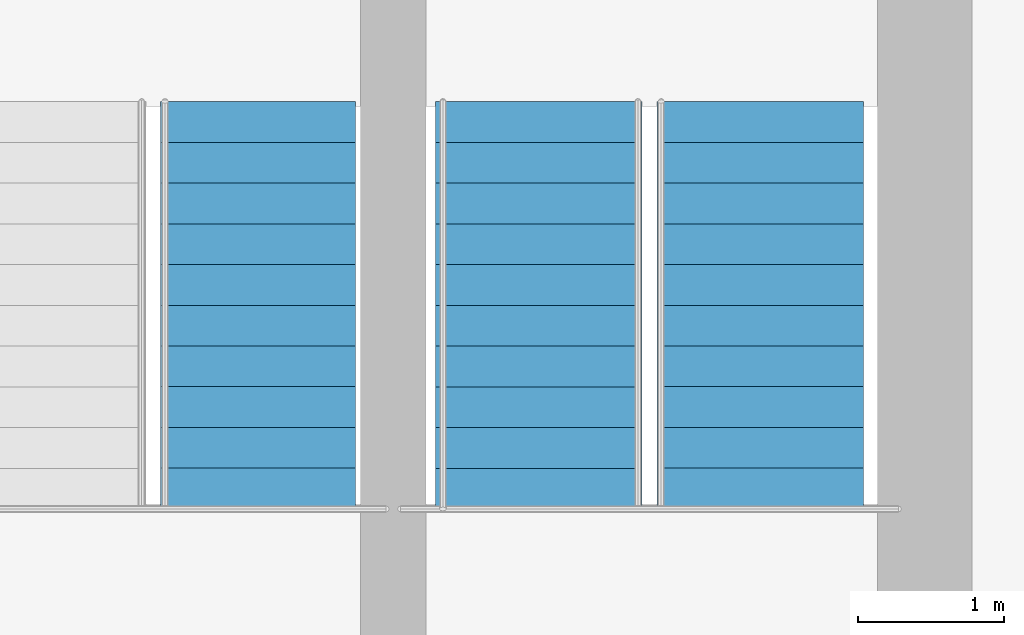
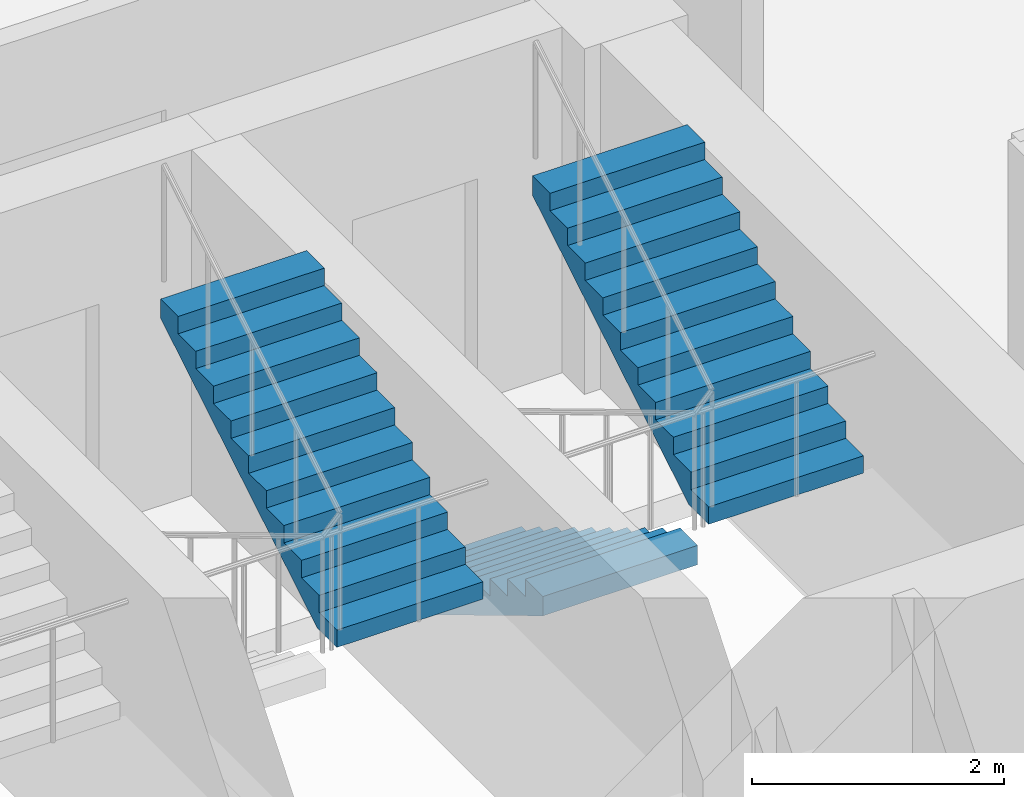
# One storey, part 25 of 26: 3 stair flights, 2 elements without a shape of their own.
"""IFC4 building model written with IfcOpenShell, lengths in metres."""

from ifc_helpers import new_model, si_unit, direction, frame, origin, place, context, subcontext, project, spatial, polyline, outline, extrude, material, type_object, element, aggregate, save


model = new_model("IFC4")

# Units and contexts
model_context = context("Model", 3, precision=1e-05, world=origin(), true_north=direction((0.0, 1.0)))
body_context = subcontext(model_context, "Body", "Model", "MODEL_VIEW")
ifc_project = project(units=[si_unit("LENGTHUNIT", "METRE"), si_unit("AREAUNIT", "SQUARE_METRE"), si_unit("VOLUMEUNIT", "CUBIC_METRE"), si_unit("PLANEANGLEUNIT", "RADIAN"), si_unit("MASSUNIT", "GRAM", prefix="KILO")], contexts=[model_context])

# Site, building, storey
site_placement = place(None, origin())
site = spatial("IfcSite", under=ifc_project, at=site_placement, CompositionType="ELEMENT")
building_placement = place(site_placement, origin())
building = spatial("IfcBuilding", under=site, at=building_placement, Name="Nuhasar Tower", CompositionType="ELEMENT")
storey_placement = place(building_placement, frame((0.0, 0.0, 192.25)))
storey = spatial("IfcBuildingStorey", under=building, at=storey_placement, Name="L47", CompositionType="ELEMENT", Elevation=192.25)

# Stair, stair flights
ifc_material = material(Name="Concrete C45/55", Category="concrete")
stair_type_1 = type_object("IfcStairType", Name="STR-ST-02-2F-22R-1682", PredefinedType="HALF_TURN_STAIR", material=ifc_material)
stair_1_placement = place(storey_placement, origin())
stair_1 = element("IfcStair", 1, at=stair_1_placement, inside=storey, type_object=stair_type_1, Name="L47 Exit Stair ST-02", PredefinedType="HALF_TURN_STAIR")
stair_flight_type_1 = type_object("IfcStairFlightType", Name="SFL-ST-02-11R-1682", PredefinedType="STRAIGHT", material=ifc_material)
stair_flight_1_placement = place(storey_placement, frame((41.64990234375, 35.284912109375, 0.0), z_axis=(0.0, 0.0, 1.0), x_axis=(0.0, -1.0, 0.0)))
stair_flight_1 = element("IfcStairFlight", 2, at=stair_flight_1_placement, type_object=stair_flight_type_1, Name="ST-02 flight 1", NumberOfRisers=11, NumberOfTreads=10, PredefinedType="STRAIGHT", RiserHeight=0.168182, TreadLength=0.28, context=body_context, shape_type="SweptSolid", body=[
    extrude(outline(polyline([(0.0, 0.0), (0.0, 0.168212890625), (0.280029296875, 0.168212890625), (0.280029296875, 0.33642578125), (0.56005859375, 0.33642578125), (0.56005859375, 0.504638671875), (0.840087890625, 0.504638671875), (0.840087890625, 0.672607421875), (1.1201171875, 0.672607421875), (1.1201171875, 0.8408203125), (1.39990234375, 0.8408203125), (1.39990234375, 1.009033203125), (1.679931640625, 1.009033203125), (1.679931640625, 1.17724609375), (1.9599609375, 1.17724609375), (1.9599609375, 1.345458984375), (2.239990234375, 1.345458984375), (2.239990234375, 1.513671875), (2.52001953125, 1.513671875), (2.52001953125, 1.681884765625), (2.800048828125, 1.681884765625), (2.800048828125, 1.85009765625), (2.800048828125, 1.495361328125), (0.310546875, 0.0), (0.0, 0.0)])), frame((0.0, 0.7099609375, 0.0), z_axis=(0.0, -1.0, 0.0), x_axis=(1.0, 0.0, 0.0)), (0.0, 0.0, 1.0), 1.419921875),
])
stair_flight_2_placement = place(storey_placement, frame((43.169921875, 32.485107421875, 1.85009765625), z_axis=(0.0, 0.0, 1.0), x_axis=(0.0, 1.0, 0.0)))
stair_flight_2 = element("IfcStairFlight", 3, at=stair_flight_2_placement, type_object=stair_flight_type_1, Name="ST-02 flight 2", NumberOfRisers=11, NumberOfTreads=10, PredefinedType="STRAIGHT", RiserHeight=0.168182, TreadLength=0.28, context=body_context, shape_type="SweptSolid", body=[
    extrude(outline(polyline([(0.0, 0.0), (0.0, 0.168212890625), (0.280029296875, 0.168212890625), (0.280029296875, 0.33642578125), (0.56005859375, 0.33642578125), (0.56005859375, 0.504638671875), (0.840087890625, 0.504638671875), (0.840087890625, 0.672607421875), (1.1201171875, 0.672607421875), (1.1201171875, 0.8408203125), (1.39990234375, 0.8408203125), (1.39990234375, 1.009033203125), (1.679931640625, 1.009033203125), (1.679931640625, 1.17724609375), (1.9599609375, 1.17724609375), (1.9599609375, 1.345458984375), (2.239990234375, 1.345458984375), (2.239990234375, 1.513671875), (2.52001953125, 1.513671875), (2.52001953125, 1.681884765625), (2.800048828125, 1.681884765625), (2.800048828125, 1.85009765625), (2.800048828125, 1.495361328125), (0.310546875, 0.0), (0.0, 0.0)])), frame((0.0, 0.7099609375, 0.0), z_axis=(0.0, -1.0, 0.0), x_axis=(1.0, 0.0, 0.0)), (0.0, 0.0, 1.0), 1.419921875),
])
aggregate(stair_1, [stair_flight_1, stair_flight_2])

# Stair, stair flight
stair_type_2 = type_object("IfcStairType", Name="STR-ST-03-2F-22R-1682", PredefinedType="HALF_TURN_STAIR", material=ifc_material)
stair_2_placement = place(storey_placement, origin())
stair_2 = element("IfcStair", 4, at=stair_2_placement, inside=storey, type_object=stair_type_2, Name="L47 Exit Stair ST-03", PredefinedType="HALF_TURN_STAIR")
stair_flight_type_2 = type_object("IfcStairFlightType", Name="SFL-ST-03-11R-1682", PredefinedType="STRAIGHT", material=ifc_material)
stair_flight_3_placement = place(storey_placement, frame((39.719970703125, 32.485107421875, 1.85009765625), z_axis=(0.0, 0.0, 1.0), x_axis=(0.0, 1.0, 0.0)))
stair_flight_3 = element("IfcStairFlight", 5, at=stair_flight_3_placement, type_object=stair_flight_type_2, Name="ST-03 flight 2", NumberOfRisers=11, NumberOfTreads=10, PredefinedType="STRAIGHT", RiserHeight=0.168182, TreadLength=0.28, context=body_context, shape_type="SweptSolid", body=[
    extrude(outline(polyline([(0.0, 0.0), (0.0, 0.168212890625), (0.280029296875, 0.168212890625), (0.280029296875, 0.33642578125), (0.56005859375, 0.33642578125), (0.56005859375, 0.504638671875), (0.840087890625, 0.504638671875), (0.840087890625, 0.672607421875), (1.1201171875, 0.672607421875), (1.1201171875, 0.8408203125), (1.39990234375, 0.8408203125), (1.39990234375, 1.009033203125), (1.679931640625, 1.009033203125), (1.679931640625, 1.17724609375), (1.9599609375, 1.17724609375), (1.9599609375, 1.345458984375), (2.239990234375, 1.345458984375), (2.239990234375, 1.513671875), (2.52001953125, 1.513671875), (2.52001953125, 1.681884765625), (2.800048828125, 1.681884765625), (2.800048828125, 1.85009765625), (2.800048828125, 1.495361328125), (0.310546875, 0.0), (0.0, 0.0)])), frame((0.0, 0.669921875, 0.0), z_axis=(0.0, -1.0, 0.0), x_axis=(1.0, 0.0, 0.0)), (0.0, 0.0, 1.0), 1.340087890625),
])
aggregate(stair_2, [stair_flight_3])

save(model, "model.ifc")
